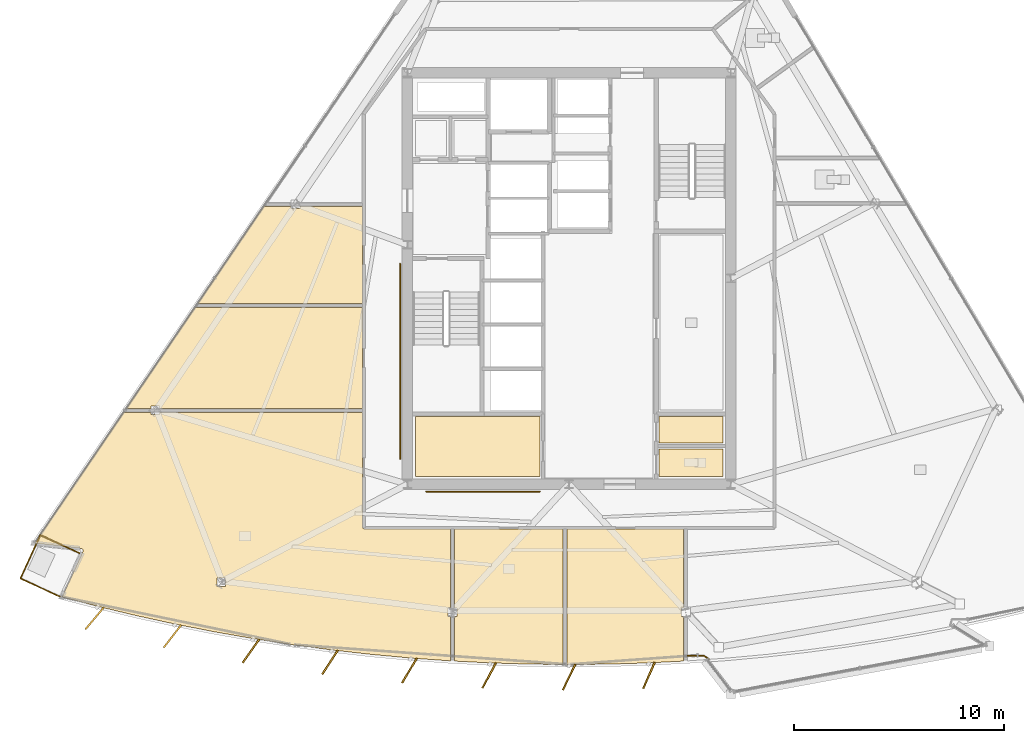
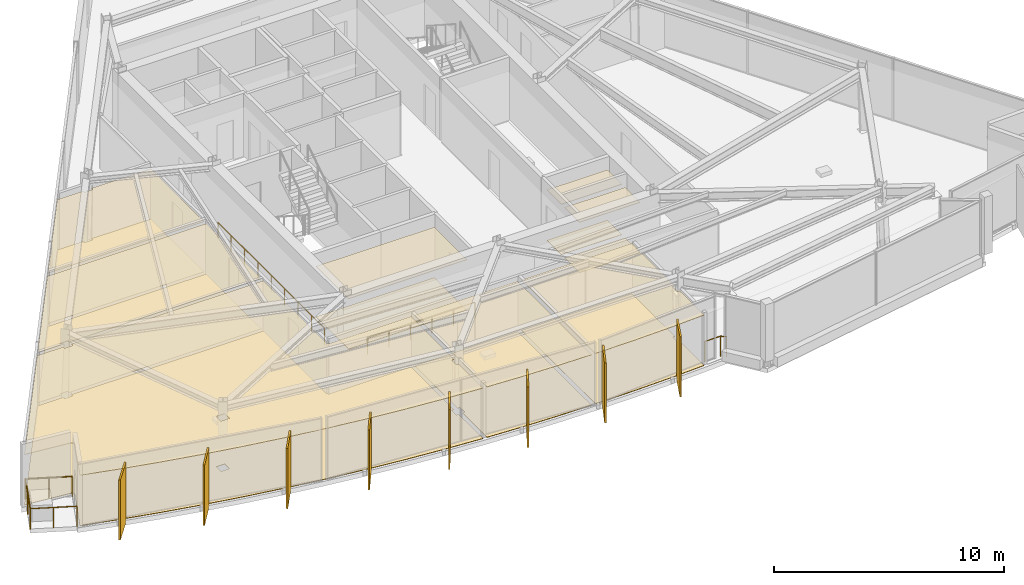
# One storey, part 10 of 13: 16 coverings, 8 shading devices, 6 railings.
"""IFC4 building model written with IfcOpenShell, lengths in metres."""

from ifc_helpers import new_model, si_unit, direction, frame, origin, origin_2d, place, context, subcontext, project, spatial, polyline, rectangle, circle, outline, extrude, material, layer, layer_set, type_object, element, save


model = new_model("IFC4")

# Units and contexts
model_context = context("Model", 3, precision=1e-05, world=origin(), true_north=direction((0.0, 1.0)))
body_context = subcontext(model_context, "Body", "Model", "MODEL_VIEW")
ifc_project = project(units=[si_unit("LENGTHUNIT", "METRE"), si_unit("AREAUNIT", "SQUARE_METRE"), si_unit("VOLUMEUNIT", "CUBIC_METRE"), si_unit("PLANEANGLEUNIT", "RADIAN"), si_unit("MASSUNIT", "GRAM", prefix="KILO")], contexts=[model_context])

# Site, building, storey
site_placement = place(None, origin())
site = spatial("IfcSite", under=ifc_project, at=site_placement, CompositionType="ELEMENT")
building_placement = place(site_placement, origin())
building = spatial("IfcBuilding", under=site, at=building_placement, Name="Savorim Split Tower", CompositionType="ELEMENT")
storey_placement = place(building_placement, frame((0.0, 0.0, 216.300048828125)))
storey = spatial("IfcBuildingStorey", under=building, at=storey_placement, Name="L57", CompositionType="ELEMENT", Elevation=216.300048828125)

# Coverings
ifc_material_1 = material(Name="Mineral Fibre Acoustic Ceiling")
ifc_layer_1 = layer(ifc_material_1, 0.02490234375)
ifc_layer_set_1 = layer_set([ifc_layer_1], Name="COV-CEIL-25")
covering_type_1 = type_object("IfcCoveringType", Name="COV-CEIL-25", PredefinedType="CEILING", material=ifc_layer_set_1)
covering_1_placement = place(storey_placement, frame((0.0, 0.0, 2.669921875)))
element("IfcCovering", 1, at=covering_1_placement, inside=storey, type_object=covering_type_1, Name="L57 Housekeeping Store Acoustic Ceiling", PredefinedType="CEILING", context=body_context, shape_type="SweptSolid", body=[
    extrude(outline(polyline([(-7.320068359375, -6.179931640625), (-7.320068359375, -9.02001953125), (-1.3798828125, -9.02001953125), (-1.3798828125, -6.179931640625), (-7.320068359375, -6.179931640625)])), origin(), (0.0, 0.0, 1.0), 0.025146484375),
])
covering_2_placement = place(storey_placement, frame((0.0, 0.0, 2.669921875)))
element("IfcCovering", 2, at=covering_2_placement, inside=storey, type_object=covering_type_1, Name="L57 Accessible WC Acoustic Ceiling", PredefinedType="CEILING", context=body_context, shape_type="SweptSolid", body=[
    extrude(outline(polyline([(4.280029296875, -7.719970703125), (4.280029296875, -9.02001953125), (7.320068359375, -9.02001953125), (7.320068359375, -7.719970703125), (4.280029296875, -7.719970703125)])), origin(), (0.0, 0.0, 1.0), 0.025146484375),
])
covering_3_placement = place(storey_placement, frame((0.0, 0.0, 2.669921875)))
element("IfcCovering", 3, at=covering_3_placement, inside=storey, type_object=covering_type_1, Name="L57 Cleaning Store Acoustic Ceiling", PredefinedType="CEILING", context=body_context, shape_type="SweptSolid", body=[
    extrude(outline(polyline([(4.280029296875, -6.179931640625), (4.280029296875, -7.43994140625), (7.320068359375, -7.43994140625), (7.320068359375, -6.179931640625), (4.280029296875, -6.179931640625)])), origin(), (0.0, 0.0, 1.0), 0.025146484375),
])
covering_4_placement = place(storey_placement, frame((0.0, 0.0, 2.669921875)))
element("IfcCovering", 4, at=covering_4_placement, inside=storey, type_object=covering_type_1, Name="L57 Quiet Study Room Acoustic Ceiling", PredefinedType="CEILING", context=body_context, shape_type="SweptSolid", body=[
    extrude(outline(polyline([(-19.493896484375, -5.6806640625), (-19.493896484375, -5.789306640625), (-9.840087890625, -5.789306640625), (-9.840087890625, -0.98779296875), (-17.817138671875, -0.98779296875), (-21.083251953125, -5.789306640625), (-19.911865234375, -5.789306640625), (-19.911865234375, -5.6806640625), (-19.493896484375, -5.6806640625)])), origin(), (0.0, 0.0, 1.0), 0.025146484375),
])
covering_5_placement = place(storey_placement, frame((0.0, 0.0, 2.669921875)))
element("IfcCovering", 5, at=covering_5_placement, inside=storey, type_object=covering_type_1, Name="L57 Community Laundry Room Acoustic Ceiling", PredefinedType="CEILING", context=body_context, shape_type="SweptSolid", body=[
    extrude(outline(polyline([(-23.14306640625, -12.561279296875), (-23.142822265625, -12.572998046875), (-23.143798828125, -12.5849609375), (-23.14599609375, -12.5966796875), (-23.149169921875, -12.608154296875), (-23.15380859375, -12.619384765625), (-24.1416015625, -14.769775390625), (-22.450439453125, -15.2119140625), (-20.61279296875, -15.652587890625), (-18.7666015625, -16.055419921875), (-16.912353515625, -16.420654296875), (-15.051025390625, -16.74755859375), (-13.18359375, -17.03662109375), (-11.310302734375, -17.287109375), (-9.4326171875, -17.49951171875), (-7.55078125, -17.673095703125), (-5.665771484375, -17.808349609375), (-5.644775390625, -17.8095703125), (-5.644775390625, -15.69189453125), (-5.7587890625, -15.69189453125), (-5.7587890625, -15.284912109375), (-5.644775390625, -15.284912109375), (-5.644775390625, -11.5400390625), (-9.699951171875, -11.5400390625), (-9.713623046875, -11.539306640625), (-9.727294921875, -11.537353515625), (-9.740478515625, -11.533935546875), (-9.753662109375, -11.529296875), (-9.76611328125, -11.5234375), (-9.77783203125, -11.516357421875), (-9.788818359375, -11.50830078125), (-9.799072265625, -11.4990234375), (-9.80810546875, -11.48876953125), (-9.81640625, -11.477783203125), (-9.823486328125, -11.466064453125), (-9.829345703125, -11.45361328125), (-9.833984375, -11.440673828125), (-9.83740234375, -11.42724609375), (-9.83935546875, -11.413818359375), (-9.840087890625, -11.39990234375), (-9.840087890625, -5.979248046875), (-19.493896484375, -5.979248046875), (-19.493896484375, -6.087646484375), (-19.911865234375, -6.087646484375), (-19.911865234375, -5.979248046875), (-21.08740234375, -5.979248046875), (-21.182373046875, -5.979248046875), (-21.182373046875, -5.934814453125), (-25.447509765625, -12.20458984375), (-23.24951171875, -12.449951171875), (-23.237548828125, -12.451904296875), (-23.22607421875, -12.454833984375), (-23.21484375, -12.458984375), (-23.2041015625, -12.46435546875), (-23.194091796875, -12.470703125), (-23.184814453125, -12.47802734375), (-23.176025390625, -12.486328125), (-23.168212890625, -12.495361328125), (-23.161376953125, -12.5048828125), (-23.155517578125, -12.515380859375), (-23.150634765625, -12.5263671875), (-23.14697265625, -12.53759765625), (-23.144287109375, -12.54931640625), (-23.14306640625, -12.561279296875)]), holes=[polyline([(-16.76806640625, -14.2783203125), (-16.35009765625, -14.2783203125), (-16.35009765625, -13.871337890625), (-16.76806640625, -13.871337890625), (-16.76806640625, -14.2783203125)])]), origin(), (0.0, 0.0, 1.0), 0.025146484375),
])
covering_6_placement = place(storey_placement, frame((0.0, 0.0, 2.669921875)))
element("IfcCovering", 6, at=covering_6_placement, inside=storey, type_object=covering_type_1, Name="L57 Shared Kitchen Acoustic Ceiling", PredefinedType="CEILING", context=body_context, shape_type="SweptSolid", body=[
    extrude(outline(polyline([(-5.454833984375, -17.819091796875), (-3.778564453125, -17.905029296875), (-1.8896484375, -17.962890625), (-0.2900390625, -17.9794921875), (-0.2900390625, -11.5400390625), (-5.454833984375, -11.5400390625), (-5.454833984375, -15.284912109375), (-5.3408203125, -15.284912109375), (-5.3408203125, -15.69189453125), (-5.454833984375, -15.69189453125), (-5.454833984375, -17.764404296875), (-5.454833984375, -17.819091796875)])), origin(), (0.0, 0.0, 1.0), 0.025146484375),
])
covering_7_placement = place(storey_placement, frame((0.0, 0.0, 2.669921875)))
element("IfcCovering", 7, at=covering_7_placement, inside=storey, type_object=covering_type_1, Name="L57 Maker Workshop Acoustic Ceiling", PredefinedType="CEILING", context=body_context, shape_type="SweptSolid", body=[
    extrude(outline(polyline([(-0.10009765625, -17.9814453125), (0.0, -17.982421875), (1.8896484375, -17.962890625), (3.778564453125, -17.905029296875), (5.454833984375, -17.819091796875), (5.454833984375, -15.69189453125), (5.3408203125, -15.69189453125), (5.3408203125, -15.284912109375), (5.454833984375, -15.284912109375), (5.454833984375, -11.5400390625), (-0.10009765625, -11.5400390625), (-0.10009765625, -17.9814453125)])), origin(), (0.0, 0.0, 1.0), 0.025146484375),
])
covering_8_placement = place(storey_placement, frame((0.0, 0.0, 2.669921875)))
element("IfcCovering", 8, at=covering_8_placement, inside=storey, type_object=covering_type_1, Name="L57 Quiet Study Room Acoustic Ceiling", PredefinedType="CEILING", context=body_context, shape_type="SweptSolid", body=[
    extrude(outline(polyline([(-13.240234375, 3.827880859375), (-14.416015625, 3.827880859375), (-14.510986328125, 3.827880859375), (-14.510986328125, 3.8720703125), (-17.687744140625, -0.7978515625), (-9.840087890625, -0.7978515625), (-9.840087890625, 3.827880859375), (-12.822265625, 3.827880859375), (-12.822265625, 3.719482421875), (-13.240234375, 3.719482421875), (-13.240234375, 3.827880859375)])), origin(), (0.0, 0.0, 1.0), 0.025146484375),
])
ifc_material_2 = material(Name="Porcelain Stoneware Flooring", Category="masonry")
ifc_layer_2 = layer(ifc_material_2, 0.02001953125)
ifc_layer_set_2 = layer_set([ifc_layer_2], Name="COV-FLOR-20")
covering_type_2 = type_object("IfcCoveringType", Name="COV-FLOR-20", PredefinedType="FLOORING", material=ifc_layer_set_2)
covering_9_placement = place(storey_placement, origin())
element("IfcCovering", 9, at=covering_9_placement, inside=storey, type_object=covering_type_2, Name="L57 Housekeeping Store Porcelain Flooring", PredefinedType="FLOORING", context=body_context, shape_type="SweptSolid", body=[
    extrude(outline(polyline([(-7.320068359375, -6.179931640625), (-7.320068359375, -9.02001953125), (-1.3798828125, -9.02001953125), (-1.3798828125, -6.179931640625), (-7.320068359375, -6.179931640625)])), origin(), (0.0, 0.0, 1.0), 0.02001953125),
])
covering_10_placement = place(storey_placement, origin())
element("IfcCovering", 10, at=covering_10_placement, inside=storey, type_object=covering_type_2, Name="L57 Accessible WC Porcelain Flooring", PredefinedType="FLOORING", context=body_context, shape_type="SweptSolid", body=[
    extrude(outline(polyline([(4.280029296875, -7.719970703125), (4.280029296875, -9.02001953125), (7.320068359375, -9.02001953125), (7.320068359375, -7.719970703125), (4.280029296875, -7.719970703125)])), origin(), (0.0, 0.0, 1.0), 0.02001953125),
])
covering_11_placement = place(storey_placement, origin())
element("IfcCovering", 11, at=covering_11_placement, inside=storey, type_object=covering_type_2, Name="L57 Cleaning Store Porcelain Flooring", PredefinedType="FLOORING", context=body_context, shape_type="SweptSolid", body=[
    extrude(outline(polyline([(4.280029296875, -6.179931640625), (4.280029296875, -7.43994140625), (7.320068359375, -7.43994140625), (7.320068359375, -6.179931640625), (4.280029296875, -6.179931640625)])), origin(), (0.0, 0.0, 1.0), 0.02001953125),
])
covering_12_placement = place(storey_placement, origin())
element("IfcCovering", 12, at=covering_12_placement, inside=storey, type_object=covering_type_2, Name="L57 Quiet Study Room Porcelain Flooring", PredefinedType="FLOORING", context=body_context, shape_type="SweptSolid", body=[
    extrude(outline(polyline([(-19.493896484375, -5.6806640625), (-19.493896484375, -5.789306640625), (-9.840087890625, -5.789306640625), (-9.840087890625, -0.98779296875), (-17.817138671875, -0.98779296875), (-21.083251953125, -5.789306640625), (-19.911865234375, -5.789306640625), (-19.911865234375, -5.6806640625), (-19.493896484375, -5.6806640625)])), origin(), (0.0, 0.0, 1.0), 0.02001953125),
])
covering_13_placement = place(storey_placement, origin())
element("IfcCovering", 13, at=covering_13_placement, inside=storey, type_object=covering_type_2, Name="L57 Community Laundry Room Porcelain Flooring", PredefinedType="FLOORING", context=body_context, shape_type="SweptSolid", body=[
    extrude(outline(polyline([(-23.14306640625, -12.561279296875), (-23.142822265625, -12.572998046875), (-23.143798828125, -12.5849609375), (-23.14599609375, -12.5966796875), (-23.149169921875, -12.608154296875), (-23.15380859375, -12.619384765625), (-24.1416015625, -14.769775390625), (-22.450439453125, -15.2119140625), (-20.61279296875, -15.652587890625), (-18.7666015625, -16.055419921875), (-16.912353515625, -16.420654296875), (-15.051025390625, -16.74755859375), (-13.18359375, -17.03662109375), (-11.310302734375, -17.287109375), (-9.4326171875, -17.49951171875), (-7.55078125, -17.673095703125), (-5.665771484375, -17.808349609375), (-5.644775390625, -17.8095703125), (-5.644775390625, -15.69189453125), (-5.7587890625, -15.69189453125), (-5.7587890625, -15.284912109375), (-5.644775390625, -15.284912109375), (-5.644775390625, -11.5400390625), (-9.699951171875, -11.5400390625), (-9.713623046875, -11.539306640625), (-9.727294921875, -11.537353515625), (-9.740478515625, -11.533935546875), (-9.753662109375, -11.529296875), (-9.76611328125, -11.5234375), (-9.77783203125, -11.516357421875), (-9.788818359375, -11.50830078125), (-9.799072265625, -11.4990234375), (-9.80810546875, -11.48876953125), (-9.81640625, -11.477783203125), (-9.823486328125, -11.466064453125), (-9.829345703125, -11.45361328125), (-9.833984375, -11.440673828125), (-9.83740234375, -11.42724609375), (-9.83935546875, -11.413818359375), (-9.840087890625, -11.39990234375), (-9.840087890625, -5.979248046875), (-19.493896484375, -5.979248046875), (-19.493896484375, -6.087646484375), (-19.911865234375, -6.087646484375), (-19.911865234375, -5.979248046875), (-21.08740234375, -5.979248046875), (-21.182373046875, -5.979248046875), (-21.182373046875, -5.934814453125), (-25.447509765625, -12.20458984375), (-23.24951171875, -12.449951171875), (-23.237548828125, -12.451904296875), (-23.22607421875, -12.454833984375), (-23.21484375, -12.458984375), (-23.2041015625, -12.46435546875), (-23.194091796875, -12.470703125), (-23.184814453125, -12.47802734375), (-23.176025390625, -12.486328125), (-23.168212890625, -12.495361328125), (-23.161376953125, -12.5048828125), (-23.155517578125, -12.515380859375), (-23.150634765625, -12.5263671875), (-23.14697265625, -12.53759765625), (-23.144287109375, -12.54931640625), (-23.14306640625, -12.561279296875)]), holes=[polyline([(-16.76806640625, -14.2783203125), (-16.35009765625, -14.2783203125), (-16.35009765625, -13.871337890625), (-16.76806640625, -13.871337890625), (-16.76806640625, -14.2783203125)])]), origin(), (0.0, 0.0, 1.0), 0.02001953125),
])
covering_14_placement = place(storey_placement, origin())
element("IfcCovering", 14, at=covering_14_placement, inside=storey, type_object=covering_type_2, Name="L57 Shared Kitchen Porcelain Flooring", PredefinedType="FLOORING", context=body_context, shape_type="SweptSolid", body=[
    extrude(outline(polyline([(-5.454833984375, -17.819091796875), (-3.778564453125, -17.905029296875), (-1.8896484375, -17.962890625), (-0.2900390625, -17.9794921875), (-0.2900390625, -11.5400390625), (-5.454833984375, -11.5400390625), (-5.454833984375, -15.284912109375), (-5.3408203125, -15.284912109375), (-5.3408203125, -15.69189453125), (-5.454833984375, -15.69189453125), (-5.454833984375, -17.764404296875), (-5.454833984375, -17.819091796875)])), origin(), (0.0, 0.0, 1.0), 0.02001953125),
])
covering_15_placement = place(storey_placement, origin())
element("IfcCovering", 15, at=covering_15_placement, inside=storey, type_object=covering_type_2, Name="L57 Maker Workshop Porcelain Flooring", PredefinedType="FLOORING", context=body_context, shape_type="SweptSolid", body=[
    extrude(outline(polyline([(-0.10009765625, -17.9814453125), (0.0, -17.982421875), (1.8896484375, -17.962890625), (3.778564453125, -17.905029296875), (5.454833984375, -17.819091796875), (5.454833984375, -15.69189453125), (5.3408203125, -15.69189453125), (5.3408203125, -15.284912109375), (5.454833984375, -15.284912109375), (5.454833984375, -11.5400390625), (-0.10009765625, -11.5400390625), (-0.10009765625, -17.9814453125)])), origin(), (0.0, 0.0, 1.0), 0.02001953125),
])
covering_16_placement = place(storey_placement, origin())
element("IfcCovering", 16, at=covering_16_placement, inside=storey, type_object=covering_type_2, Name="L57 Quiet Study Room Porcelain Flooring", PredefinedType="FLOORING", context=body_context, shape_type="SweptSolid", body=[
    extrude(outline(polyline([(-13.240234375, 3.827880859375), (-14.416015625, 3.827880859375), (-14.510986328125, 3.827880859375), (-14.510986328125, 3.8720703125), (-17.687744140625, -0.7978515625), (-9.840087890625, -0.7978515625), (-9.840087890625, 3.827880859375), (-12.822265625, 3.827880859375), (-12.822265625, 3.719482421875), (-13.240234375, 3.719482421875), (-13.240234375, 3.827880859375)])), origin(), (0.0, 0.0, 1.0), 0.02001953125),
])

# Railings
ifc_material_3 = material(Name="Galvanised Painted Steel Balustrade", Category="steel")
railing_type_1 = type_object("IfcRailingType", Name="RLG-BAL-1100", PredefinedType="BALUSTRADE", material=ifc_material_3)
railing_1_placement = place(storey_placement, frame((5.6396484375, -17.568115234375, 0.0)))
element("IfcRailing", 17, at=railing_1_placement, inside=storey, type_object=railing_type_1, Name="L57 Cantilevered Lounge West Edge Closure Guard", PredefinedType="BALUSTRADE", context=body_context, shape_type="SweptSolid", body=[
    extrude(circle(Radius=0.02392578125, at=origin_2d()), frame((0.0, 0.0, 1.076171875), z_axis=(1.0, 0.0, 0.0), x_axis=(0.0, 1.0, 0.0)), (0.0, 0.0, 1.0), 0.780029296875),
    extrude(circle(Radius=0.02392578125, at=origin_2d()), frame((0.780029296875, 0.0, 1.076171875), z_axis=(0.831913238273, -0.554905725315, 0.0), x_axis=(0.554905725315, 0.831913238273, 0.0)), (0.0, 0.0, 1.0), 0.274169921875),
    extrude(circle(Radius=0.02099609375, at=origin_2d()), origin(), (0.0, 0.0, 1.0), 1.052001953125),
    extrude(circle(Radius=0.02099609375, at=origin_2d()), frame((0.780029296875, 0.0, 0.0)), (0.0, 0.0, 1.0), 1.052001953125),
    extrude(circle(Radius=0.02099609375, at=origin_2d()), frame((1.008056640625, -0.152099609375, 0.0)), (0.0, 0.0, 1.0), 1.052001953125),
])
railing_2_placement = place(storey_placement, frame((-24.26025390625, -14.740478515625, 0.0)))
element("IfcRailing", 18, at=railing_2_placement, inside=storey, type_object=railing_type_1, Name="L57 Tree Balcony Guardrail SW-1", PredefinedType="BALUSTRADE", context=body_context, shape_type="SweptSolid", body=[
    extrude(circle(Radius=0.02392578125, at=origin_2d()), frame((0.0, 0.0, 1.076171875), z_axis=(-0.908707369925, 0.417433726289, 0.0), x_axis=(-0.417433726289, -0.908707369925, 0.0)), (0.0, 0.0, 1.0), 2.050048828125),
    extrude(circle(Radius=0.02099609375, at=origin_2d()), origin(), (0.0, 0.0, 1.0), 1.052001953125),
    extrude(circle(Radius=0.02099609375, at=origin_2d()), frame((-0.931396484375, 0.427734375, 0.0)), (0.0, 0.0, 1.0), 1.052001953125),
    extrude(circle(Radius=0.02099609375, at=origin_2d()), frame((-1.86279296875, 0.855712890625, 0.0)), (0.0, 0.0, 1.0), 1.052001953125),
])
railing_3_placement = place(storey_placement, frame((-26.123046875, -13.884765625, 0.0)))
element("IfcRailing", 19, at=railing_3_placement, inside=storey, type_object=railing_type_1, Name="L57 Tree Balcony Guardrail SW-2", PredefinedType="BALUSTRADE", context=body_context, shape_type="SweptSolid", body=[
    extrude(circle(Radius=0.02392578125, at=origin_2d()), frame((0.0, 0.0, 1.076171875), z_axis=(0.417495370285, 0.908679049935, 0.0), x_axis=(-0.908679049935, 0.417495370285, 0.0)), (0.0, 0.0, 1.0), 2.26953125),
    extrude(circle(Radius=0.02099609375, at=origin_2d()), origin(), (0.0, 0.0, 1.0), 1.052001953125),
    extrude(circle(Radius=0.02099609375, at=origin_2d()), frame((0.4736328125, 1.03125, 0.0)), (0.0, 0.0, 1.0), 1.052001953125),
    extrude(circle(Radius=0.02099609375, at=origin_2d()), frame((0.947509765625, 2.062255859375, 0.0)), (0.0, 0.0, 1.0), 1.052001953125),
])
railing_4_placement = place(storey_placement, frame((-25.175537109375, -11.822509765625, 0.0)))
element("IfcRailing", 20, at=railing_4_placement, inside=storey, type_object=railing_type_1, Name="L57 Tree Balcony Guardrail SW-3", PredefinedType="BALUSTRADE", context=body_context, shape_type="SweptSolid", body=[
    extrude(circle(Radius=0.02392578125, at=origin_2d()), frame((0.0, 0.0, 1.076171875), z_axis=(0.908707369925, -0.417433726289, 0.0), x_axis=(0.417433726289, 0.908707369925, 0.0)), (0.0, 0.0, 1.0), 2.050048828125),
    extrude(circle(Radius=0.02099609375, at=origin_2d()), origin(), (0.0, 0.0, 1.0), 1.052001953125),
    extrude(circle(Radius=0.02099609375, at=origin_2d()), frame((0.931396484375, -0.427734375, 0.0)), (0.0, 0.0, 1.0), 1.052001953125),
    extrude(circle(Radius=0.02099609375, at=origin_2d()), frame((1.86279296875, -0.855712890625, 0.0)), (0.0, 0.0, 1.0), 1.052001953125),
])
railing_type_2 = type_object("IfcRailingType", Name="RLG-HR-900", PredefinedType="HANDRAIL", material=ifc_material_3)
railing_5_placement = place(storey_placement, frame((-6.800048828125, -9.75, 0.0)))
element("IfcRailing", 21, at=railing_5_placement, inside=storey, type_object=railing_type_2, Name="L57 Corridor South Accessible Handrail", PredefinedType="HANDRAIL", context=body_context, shape_type="SweptSolid", body=[
    extrude(circle(Radius=0.02392578125, at=origin_2d()), frame((0.0, 0.0, 0.8759765625), z_axis=(1.0, 0.0, 0.0), x_axis=(0.0, 1.0, 0.0)), (0.0, 0.0, 1.0), 5.400146484375),
    extrude(circle(Radius=0.02099609375, at=origin_2d()), origin(), (0.0, 0.0, 1.0), 0.851806640625),
    extrude(circle(Radius=0.02099609375, at=origin_2d()), frame((1.080078125, 0.0, 0.0)), (0.0, 0.0, 1.0), 0.851806640625),
    extrude(circle(Radius=0.02099609375, at=origin_2d()), frame((2.16015625, 0.0, 0.0)), (0.0, 0.0, 1.0), 0.851806640625),
    extrude(circle(Radius=0.02099609375, at=origin_2d()), frame((3.239990234375, 0.0, 0.0)), (0.0, 0.0, 1.0), 0.851806640625),
    extrude(circle(Radius=0.02099609375, at=origin_2d()), frame((4.320068359375, 0.0, 0.0)), (0.0, 0.0, 1.0), 0.851806640625),
    extrude(circle(Radius=0.02099609375, at=origin_2d()), frame((5.400146484375, 0.0, 0.0)), (0.0, 0.0, 1.0), 0.851806640625),
])
railing_6_placement = place(storey_placement, frame((-8.050048828125, -8.199951171875, 0.0)))
element("IfcRailing", 22, at=railing_6_placement, inside=storey, type_object=railing_type_2, Name="L57 Corridor West Accessible Handrail", PredefinedType="HANDRAIL", context=body_context, shape_type="SweptSolid", body=[
    extrude(circle(Radius=0.02392578125, at=origin_2d()), frame((0.0, 0.0, 0.8759765625), z_axis=(0.0, 1.0, 0.0), x_axis=(-1.0, 0.0, 0.0)), (0.0, 0.0, 1.0), 9.300048828125),
    extrude(circle(Radius=0.02099609375, at=origin_2d()), origin(), (0.0, 0.0, 1.0), 0.851806640625),
    extrude(circle(Radius=0.02099609375, at=origin_2d()), frame((0.0, 1.16259765625, 0.0)), (0.0, 0.0, 1.0), 0.851806640625),
    extrude(circle(Radius=0.02099609375, at=origin_2d()), frame((0.0, 2.324951171875, 0.0)), (0.0, 0.0, 1.0), 0.851806640625),
    extrude(circle(Radius=0.02099609375, at=origin_2d()), frame((0.0, 3.487548828125, 0.0)), (0.0, 0.0, 1.0), 0.851806640625),
    extrude(circle(Radius=0.02099609375, at=origin_2d()), frame((0.0, 4.64990234375, 0.0)), (0.0, 0.0, 1.0), 0.851806640625),
    extrude(circle(Radius=0.02099609375, at=origin_2d()), frame((0.0, 5.8125, 0.0)), (0.0, 0.0, 1.0), 0.851806640625),
    extrude(circle(Radius=0.02099609375, at=origin_2d()), frame((0.0, 6.97509765625, 0.0)), (0.0, 0.0, 1.0), 0.851806640625),
    extrude(circle(Radius=0.02099609375, at=origin_2d()), frame((0.0, 8.137451171875, 0.0)), (0.0, 0.0, 1.0), 0.851806640625),
    extrude(circle(Radius=0.02099609375, at=origin_2d()), frame((0.0, 9.300048828125, 0.0)), (0.0, 0.0, 1.0), 0.851806640625),
])

# Shading devices
ifc_material_4 = material(Name="Terracotta Ceramic-Coated Aluminium Fin", Category="masonry")
shading_device_type = type_object("IfcShadingDeviceType", Name="SHD-FIN-1360", PredefinedType="USERDEFINED", material=ifc_material_4)
for number, where, z_axis, x_axis, name in (
    (23, (-22.595458984375, -15.7900390625, -0.2001953125), (0.0, 0.0, 1.0), (-0.643719022682, -0.765261928909, 0.0), "L57 Sawtooth Shading Fin 01"),
    (24, (-18.8876953125, -16.63916015625, -0.2001953125), (0.0, 0.0, 1.0), (-0.611868076908, -0.790959832394, 0.0), "L57 Sawtooth Shading Fin 02"),
    (25, (-15.148193359375, -17.335693359375, -0.2001953125), (0.0, 0.0, 1.0), (-0.578993757737, -0.815331974414, 0.0), "L57 Sawtooth Shading Fin 03"),
    (26, (-11.38330078125, -17.878662109375, -0.2001953125), (0.0, 0.0, 1.0), (-0.545148321708, -0.838339613366, 0.0), "L57 Sawtooth Shading Fin 04"),
    (27, (-7.599609375, -18.26708984375, -0.2001953125), (0.0, 0.0, 1.0), (-0.510391336723, -0.859942255851, 0.0), "L57 Sawtooth Shading Fin 05"),
    (28, (-3.802978515625, -18.50048828125, -0.2001953125), (0.0, 0.0, 1.0), (-0.474778051978, -0.880105562623, 0.0), "L57 Sawtooth Shading Fin 06"),
    (29, (0.0, -18.578369140625, -0.2001953125), (0.0, 0.0, 1.0), (-0.438371146789, -0.898794046299, 0.0), "L57 Sawtooth Shading Fin 07"),
    (30, (3.802978515625, -18.50048828125, -0.2001953125), (0.0, 0.0, 1.0), (-0.401230091723, -0.915977299662, 0.0), "L57 Sawtooth Shading Fin 08"),
):
    element("IfcShadingDevice", number, at=place(storey_placement, frame(where, z_axis=z_axis, x_axis=x_axis)), inside=storey, type_object=shading_device_type, Name=name, ObjectType="FIN", PredefinedType="USERDEFINED", context=body_context, shape_type="SweptSolid", body=[
        extrude(rectangle(XDim=1.360107421875, YDim=0.080078125, at=origin_2d()), origin(), (0.0, 0.0, 1.0), 3.199951171875),
    ])

save(model, "model.ifc")
